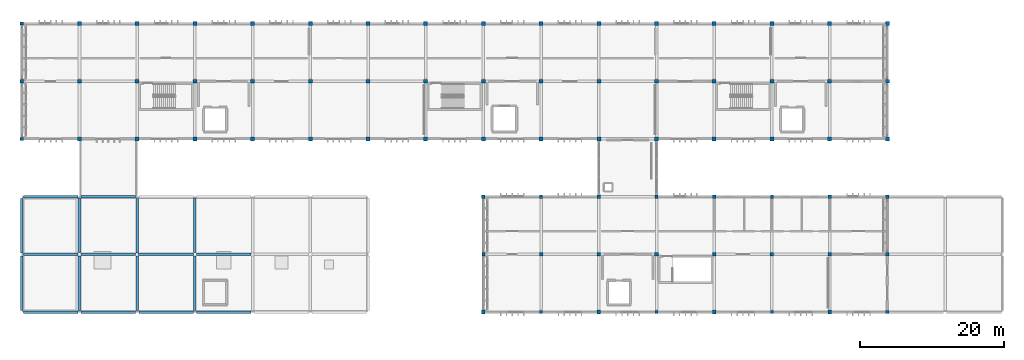
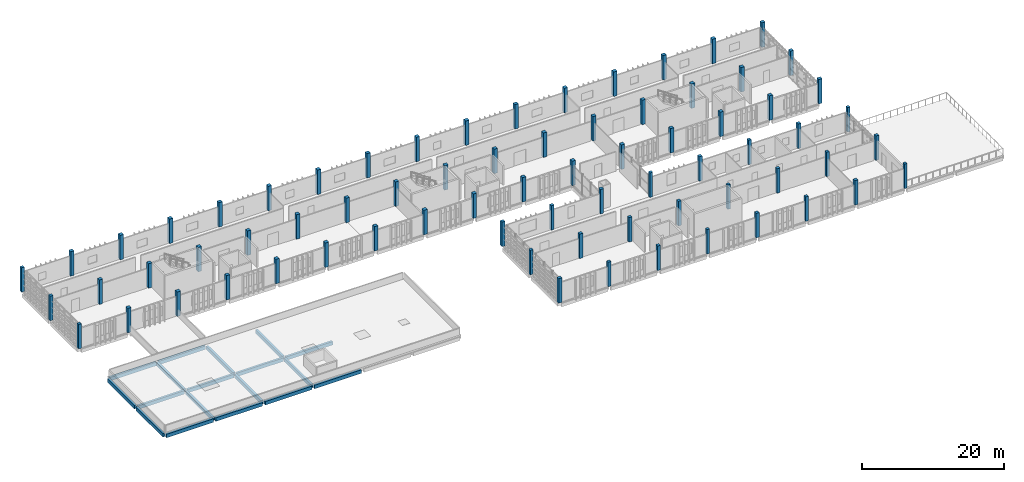
# One storey, part 1 of 32: 72 columns, 18 beams.
"""IFC4 building model written with IfcOpenShell, lengths in metres."""

from ifc_helpers import new_model, si_unit, direction, frame, origin, origin_2d, place, context, subcontext, project, spatial, rectangle, extrude, material, material_profile, profile_set, type_object, element, save


model = new_model("IFC4")

# Units and contexts
model_context = context("Model", 3, precision=1e-05, world=origin(), true_north=direction((0.0, 1.0)))
body_context = subcontext(model_context, "Body", "Model", "MODEL_VIEW")
ifc_project = project(units=[si_unit("LENGTHUNIT", "METRE"), si_unit("AREAUNIT", "SQUARE_METRE"), si_unit("VOLUMEUNIT", "CUBIC_METRE"), si_unit("PLANEANGLEUNIT", "RADIAN"), si_unit("MASSUNIT", "GRAM", prefix="KILO")], contexts=[model_context])

# Site, building, storey
site_placement = place(None, origin())
site = spatial("IfcSite", under=ifc_project, at=site_placement, CompositionType="ELEMENT")
building_placement = place(site_placement, origin())
building = spatial("IfcBuilding", under=site, at=building_placement, Name="Jelvoka-Kovrelna Polytechnic", CompositionType="ELEMENT")
storey_placement = place(building_placement, frame((0.0, 0.0, 26.39990234375)))
storey = spatial("IfcBuildingStorey", under=building, at=storey_placement, Name="L07", CompositionType="ELEMENT", Elevation=26.39990234375)

# Columns
ifc_material_1 = material(Name="Concrete C40/50", Category="concrete")
ifc_material_profile_1 = material_profile(ifc_material_1, rectangle(XDim=0.449951171875, YDim=0.449951171875, at=origin_2d()), Name="RC 450x450")
ifc_profile_set_1 = profile_set([ifc_material_profile_1], Name="Concrete C40/50")
column_type_1 = type_object("IfcColumnType", Name="Col_RC_450", PredefinedType="COLUMN", material=ifc_profile_set_1)
for number, where, z_axis, x_axis, name in (
    (1, (136.0, 32.0, 0.0), (0.0, 0.0, 1.0), (1.0, 0.0, 0.0), "L07 column 0509"),
    (2, (152.0, 32.0, 0.0), (0.0, 0.0, 1.0), (1.0, 0.0, 0.0), "L07 column 0525"),
    (3, (168.0, 32.0, 0.0), (0.0, 0.0, 1.0), (1.0, 0.0, 0.0), "L07 column 0541"),
    (4, (184.0, 32.0, 0.0), (0.0, 0.0, 1.0), (1.0, 0.0, 0.0), "L07 column 0557"),
    (5, (128.0, 40.0, 0.0), (0.0, 0.0, 1.0), (1.0, 0.0, 0.0), "L07 column 0683"),
    (6, (144.0, 40.0, 0.0), (0.0, 0.0, 1.0), (1.0, 0.0, 0.0), "L07 column 0699"),
    (7, (160.0, 40.0, 0.0), (0.0, 0.0, 1.0), (1.0, 0.0, 0.0), "L07 column 0715"),
    (8, (176.0, 40.0, 0.0), (0.0, 0.0, 1.0), (1.0, 0.0, 0.0), "L07 column 0731"),
    (9, (136.0, 48.0, 0.0), (0.0, 0.0, 1.0), (1.0, 0.0, 0.0), "L07 column 0855"),
    (10, (152.0, 48.0, 0.0), (0.0, 0.0, 1.0), (1.0, 0.0, 0.0), "L07 column 0871"),
    (11, (168.0, 48.0, 0.0), (0.0, 0.0, 1.0), (1.0, 0.0, 0.0), "L07 column 0887"),
    (12, (184.0, 48.0, 0.0), (0.0, 0.0, 1.0), (1.0, 0.0, 0.0), "L07 column 0903"),
    (13, (64.0, 56.0, 0.0), (0.0, 0.0, 1.0), (1.0, 0.0, 0.0), "L07 column 0991"),
    (14, (64.0, 72.0, 0.0), (0.0, 0.0, 1.0), (1.0, 0.0, 0.0), "L07 column 1319"),
):
    element("IfcColumn", number, at=place(storey_placement, frame(where, z_axis=z_axis, x_axis=x_axis)), inside=storey, type_object=column_type_1, Name=name, PredefinedType="COLUMN", context=body_context, shape_type="SweptSolid", body=[
        extrude(rectangle(XDim=0.449951171875, YDim=0.449951171875, at=origin_2d()), origin(), (0.0, 0.0, 1.0), 4.2001953125),
    ])
ifc_material_2 = material(Name="Concrete C40/50", Category="concrete")
ifc_material_profile_2 = material_profile(ifc_material_2, rectangle(XDim=0.5, YDim=0.5, at=origin_2d()), Name="RC 500x500")
ifc_profile_set_2 = profile_set([ifc_material_profile_2], Name="Concrete C40/50")
column_type_2 = type_object("IfcColumnType", Name="Col_RC_500", PredefinedType="COLUMN", material=ifc_profile_set_2)
for number, where, z_axis, x_axis, name in (
    (15, (128.0, 32.0, 0.0), (0.0, 0.0, 1.0), (1.0, 0.0, 0.0), "L07 column 0501"),
    (16, (144.0, 32.0, 0.0), (0.0, 0.0, 1.0), (1.0, 0.0, 0.0), "L07 column 0517"),
    (17, (160.0, 32.0, 0.0), (0.0, 0.0, 1.0), (1.0, 0.0, 0.0), "L07 column 0533"),
    (18, (176.0, 32.0, 0.0), (0.0, 0.0, 1.0), (1.0, 0.0, 0.0), "L07 column 0549"),
    (19, (136.0, 40.0, 0.0), (0.0, 0.0, 1.0), (1.0, 0.0, 0.0), "L07 column 0691"),
    (20, (152.0, 40.0, 0.0), (0.0, 0.0, 1.0), (1.0, 0.0, 0.0), "L07 column 0707"),
    (21, (168.0, 40.0, 0.0), (0.0, 0.0, 1.0), (1.0, 0.0, 0.0), "L07 column 0723"),
    (22, (184.0, 40.0, 0.0), (0.0, 0.0, 1.0), (1.0, 0.0, 0.0), "L07 column 0739"),
    (23, (128.0, 48.0, 0.0), (0.0, 0.0, 1.0), (1.0, 0.0, 0.0), "L07 column 0847"),
    (24, (144.0, 48.0, 0.0), (0.0, 0.0, 1.0), (1.0, 0.0, 0.0), "L07 column 0863"),
    (25, (160.0, 48.0, 0.0), (0.0, 0.0, 1.0), (1.0, 0.0, 0.0), "L07 column 0879"),
    (26, (176.0, 48.0, 0.0), (0.0, 0.0, 1.0), (1.0, 0.0, 0.0), "L07 column 0895"),
    (27, (64.0, 64.0, 0.0), (0.0, 0.0, 1.0), (1.0, 0.0, 0.0), "L07 column 1158"),
):
    element("IfcColumn", number, at=place(storey_placement, frame(where, z_axis=z_axis, x_axis=x_axis)), inside=storey, type_object=column_type_2, Name=name, PredefinedType="COLUMN", context=body_context, shape_type="SweptSolid", body=[
        extrude(rectangle(XDim=0.5, YDim=0.5, at=origin_2d()), origin(), (0.0, 0.0, 1.0), 4.2001953125),
    ])
ifc_material_3 = material(Name="Concrete C40/50", Category="concrete")
ifc_material_profile_3 = material_profile(ifc_material_3, rectangle(XDim=0.550048828125, YDim=0.550048828125, at=origin_2d()), Name="RC 550x550")
ifc_profile_set_3 = profile_set([ifc_material_profile_3], Name="Concrete C40/50")
column_type_3 = type_object("IfcColumnType", Name="Col_RC_550", PredefinedType="COLUMN", material=ifc_profile_set_3)
for number, where, z_axis, x_axis, name in (
    (28, (72.0, 56.0, 0.0), (0.0, 0.0, 1.0), (1.0, 0.0, 0.0), "L07 column 0999"),
    (29, (80.0, 56.0, 0.0), (0.0, 0.0, 1.0), (1.0, 0.0, 0.0), "L07 column 1008"),
    (30, (88.0, 56.0, 0.0), (0.0, 0.0, 1.0), (1.0, 0.0, 0.0), "L07 column 1017"),
    (31, (96.0, 56.0, 0.0), (0.0, 0.0, 1.0), (1.0, 0.0, 0.0), "L07 column 1026"),
    (32, (104.0, 56.0, 0.0), (0.0, 0.0, 1.0), (1.0, 0.0, 0.0), "L07 column 1035"),
    (33, (112.0, 56.0, 0.0), (0.0, 0.0, 1.0), (1.0, 0.0, 0.0), "L07 column 1044"),
    (34, (120.0, 56.0, 0.0), (0.0, 0.0, 1.0), (1.0, 0.0, 0.0), "L07 column 1053"),
    (35, (128.0, 56.0, 0.0), (0.0, 0.0, 1.0), (1.0, 0.0, 0.0), "L07 column 1062"),
    (36, (136.0, 56.0, 0.0), (0.0, 0.0, 1.0), (1.0, 0.0, 0.0), "L07 column 1071"),
    (37, (144.0, 56.0, 0.0), (0.0, 0.0, 1.0), (1.0, 0.0, 0.0), "L07 column 1080"),
    (38, (152.0, 56.0, 0.0), (0.0, 0.0, 1.0), (1.0, 0.0, 0.0), "L07 column 1089"),
    (39, (160.0, 56.0, 0.0), (0.0, 0.0, 1.0), (1.0, 0.0, 0.0), "L07 column 1098"),
    (40, (168.0, 56.0, 0.0), (0.0, 0.0, 1.0), (1.0, 0.0, 0.0), "L07 column 1107"),
    (41, (176.0, 56.0, 0.0), (0.0, 0.0, 1.0), (1.0, 0.0, 0.0), "L07 column 1116"),
    (42, (184.0, 56.0, 0.0), (0.0, 0.0, 1.0), (1.0, 0.0, 0.0), "L07 column 1125"),
    (43, (72.0, 64.0, 0.0), (0.0, 0.0, 1.0), (1.0, 0.0, 0.0), "L07 column 1166"),
    (44, (80.0, 64.0, 0.0), (0.0, 0.0, 1.0), (1.0, 0.0, 0.0), "L07 column 1175"),
    (45, (88.0, 64.0, 0.0), (0.0, 0.0, 1.0), (1.0, 0.0, 0.0), "L07 column 1184"),
    (46, (96.0, 64.0, 0.0), (0.0, 0.0, 1.0), (1.0, 0.0, 0.0), "L07 column 1193"),
    (47, (104.0, 64.0, 0.0), (0.0, 0.0, 1.0), (1.0, 0.0, 0.0), "L07 column 1202"),
    (48, (112.0, 64.0, 0.0), (0.0, 0.0, 1.0), (1.0, 0.0, 0.0), "L07 column 1211"),
    (49, (120.0, 64.0, 0.0), (0.0, 0.0, 1.0), (1.0, 0.0, 0.0), "L07 column 1220"),
    (50, (128.0, 64.0, 0.0), (0.0, 0.0, 1.0), (1.0, 0.0, 0.0), "L07 column 1229"),
    (51, (136.0, 64.0, 0.0), (0.0, 0.0, 1.0), (1.0, 0.0, 0.0), "L07 column 1238"),
    (52, (144.0, 64.0, 0.0), (0.0, 0.0, 1.0), (1.0, 0.0, 0.0), "L07 column 1247"),
    (53, (152.0, 64.0, 0.0), (0.0, 0.0, 1.0), (1.0, 0.0, 0.0), "L07 column 1256"),
    (54, (160.0, 64.0, 0.0), (0.0, 0.0, 1.0), (1.0, 0.0, 0.0), "L07 column 1265"),
    (55, (168.0, 64.0, 0.0), (0.0, 0.0, 1.0), (1.0, 0.0, 0.0), "L07 column 1274"),
    (56, (176.0, 64.0, 0.0), (0.0, 0.0, 1.0), (1.0, 0.0, 0.0), "L07 column 1283"),
    (57, (184.0, 64.0, 0.0), (0.0, 0.0, 1.0), (1.0, 0.0, 0.0), "L07 column 1292"),
    (58, (72.0, 72.0, 0.0), (0.0, 0.0, 1.0), (1.0, 0.0, 0.0), "L07 column 1327"),
    (59, (80.0, 72.0, 0.0), (0.0, 0.0, 1.0), (1.0, 0.0, 0.0), "L07 column 1336"),
    (60, (88.0, 72.0, 0.0), (0.0, 0.0, 1.0), (1.0, 0.0, 0.0), "L07 column 1345"),
    (61, (96.0, 72.0, 0.0), (0.0, 0.0, 1.0), (1.0, 0.0, 0.0), "L07 column 1354"),
    (62, (104.0, 72.0, 0.0), (0.0, 0.0, 1.0), (1.0, 0.0, 0.0), "L07 column 1363"),
    (63, (112.0, 72.0, 0.0), (0.0, 0.0, 1.0), (1.0, 0.0, 0.0), "L07 column 1372"),
    (64, (120.0, 72.0, 0.0), (0.0, 0.0, 1.0), (1.0, 0.0, 0.0), "L07 column 1381"),
    (65, (128.0, 72.0, 0.0), (0.0, 0.0, 1.0), (1.0, 0.0, 0.0), "L07 column 1390"),
    (66, (136.0, 72.0, 0.0), (0.0, 0.0, 1.0), (1.0, 0.0, 0.0), "L07 column 1399"),
    (67, (144.0, 72.0, 0.0), (0.0, 0.0, 1.0), (1.0, 0.0, 0.0), "L07 column 1408"),
    (68, (152.0, 72.0, 0.0), (0.0, 0.0, 1.0), (1.0, 0.0, 0.0), "L07 column 1417"),
    (69, (160.0, 72.0, 0.0), (0.0, 0.0, 1.0), (1.0, 0.0, 0.0), "L07 column 1426"),
    (70, (168.0, 72.0, 0.0), (0.0, 0.0, 1.0), (1.0, 0.0, 0.0), "L07 column 1435"),
    (71, (176.0, 72.0, 0.0), (0.0, 0.0, 1.0), (1.0, 0.0, 0.0), "L07 column 1444"),
    (72, (184.0, 72.0, 0.0), (0.0, 0.0, 1.0), (1.0, 0.0, 0.0), "L07 column 1453"),
):
    element("IfcColumn", number, at=place(storey_placement, frame(where, z_axis=z_axis, x_axis=x_axis)), inside=storey, type_object=column_type_3, Name=name, PredefinedType="COLUMN", context=body_context, shape_type="SweptSolid", body=[
        extrude(rectangle(XDim=0.550048828125, YDim=0.550048828125, at=origin_2d()), origin(), (0.0, 0.0, 1.0), 4.2001953125),
    ])

# Beams
ifc_material_4 = material(Name="Concrete C35/45", Category="concrete")
ifc_material_profile_4 = material_profile(ifc_material_4, rectangle(XDim=0.35009765625, YDim=0.60009765625, at=origin_2d()), Name="RC 350x600")
ifc_profile_set_4 = profile_set([ifc_material_profile_4], Name="Concrete C35/45")
beam_type_1 = type_object("IfcBeamType", Name="Beam_RC_350x600", PredefinedType="BEAM", material=ifc_profile_set_4)
for number, where, z_axis, x_axis, name in (
    (73, (64.205078125, 40.0, -0.539794921875), (1.0, 0.0, 0.0), (0.0, 1.0, 0.0), "L07 beam 2182"),
    (74, (72.22998046875, 40.0, -0.539794921875), (1.0, 0.0, 0.0), (0.0, 1.0, 0.0), "L07 beam 2183"),
    (75, (80.205078125, 40.0, -0.539794921875), (1.0, 0.0, 0.0), (0.0, 1.0, 0.0), "L07 beam 2184"),
    (76, (88.22998046875, 40.0, -0.539794921875), (1.0, 0.0, 0.0), (0.0, 1.0, 0.0), "L07 beam 2185"),
    (77, (64.0, 32.22998046875, -0.539794921875), (0.0, 1.0, 0.0), (-1.0, 0.0, 0.0), "L07 beam 2194"),
    (78, (64.0, 40.205078125, -0.539794921875), (0.0, 1.0, 0.0), (-1.0, 0.0, 0.0), "L07 beam 2195"),
    (79, (72.0, 32.205078125, -0.539794921875), (0.0, 1.0, 0.0), (-1.0, 0.0, 0.0), "L07 beam 2196"),
    (80, (72.0, 40.22998046875, -0.539794921875), (0.0, 1.0, 0.0), (-1.0, 0.0, 0.0), "L07 beam 2197"),
    (81, (80.0, 32.22998046875, -0.539794921875), (0.0, 1.0, 0.0), (-1.0, 0.0, 0.0), "L07 beam 2198"),
    (82, (80.0, 40.205078125, -0.539794921875), (0.0, 1.0, 0.0), (-1.0, 0.0, 0.0), "L07 beam 2199"),
    (83, (88.0, 32.205078125, -0.539794921875), (0.0, 1.0, 0.0), (-1.0, 0.0, 0.0), "L07 beam 2200"),
    (84, (88.0, 40.22998046875, -0.539794921875), (0.0, 1.0, 0.0), (-1.0, 0.0, 0.0), "L07 beam 2201"),
):
    element("IfcBeam", number, at=place(storey_placement, frame(where, z_axis=z_axis, x_axis=x_axis)), inside=storey, type_object=beam_type_1, Name=name, PredefinedType="BEAM", context=body_context, shape_type="SweptSolid", body=[
        extrude(rectangle(XDim=0.35009765625, YDim=0.60009765625, at=origin_2d()), origin(), (0.0, 0.0, 1.0), 7.56494140625),
    ])
ifc_material_5 = material(Name="Concrete C40/50", Category="concrete")
ifc_material_profile_5 = material_profile(ifc_material_5, rectangle(XDim=0.35009765625, YDim=0.60009765625, at=origin_2d()), Name="RC 350x600")
ifc_profile_set_5 = profile_set([ifc_material_profile_5], Name="Concrete C40/50")
beam_type_2 = type_object("IfcBeamType", Name="Spandrel_RC_350x600", PredefinedType="SPANDREL", material=ifc_profile_set_5)
for number, where, z_axis, x_axis, name in (
    (85, (64.22998046875, 32.0, -0.539794921875), (1.0, 0.0, 0.0), (0.0, 1.0, 0.0), "L07 beam 2176"),
    (86, (72.205078125, 32.0, -0.539794921875), (1.0, 0.0, 0.0), (0.0, 1.0, 0.0), "L07 beam 2177"),
    (87, (80.22998046875, 32.0, -0.539794921875), (1.0, 0.0, 0.0), (0.0, 1.0, 0.0), "L07 beam 2178"),
    (88, (88.205078125, 32.0, -0.539794921875), (1.0, 0.0, 0.0), (0.0, 1.0, 0.0), "L07 beam 2179"),
    (89, (64.22998046875, 48.0, -0.539794921875), (1.0, 0.0, 0.0), (0.0, 1.0, 0.0), "L07 beam 2188"),
    (90, (72.205078125, 48.0, -0.539794921875), (1.0, 0.0, 0.0), (0.0, 1.0, 0.0), "L07 beam 2189"),
):
    element("IfcBeam", number, at=place(storey_placement, frame(where, z_axis=z_axis, x_axis=x_axis)), inside=storey, type_object=beam_type_2, Name=name, PredefinedType="SPANDREL", context=body_context, shape_type="SweptSolid", body=[
        extrude(rectangle(XDim=0.35009765625, YDim=0.60009765625, at=origin_2d()), origin(), (0.0, 0.0, 1.0), 7.56494140625),
    ])

save(model, "model.ifc")
